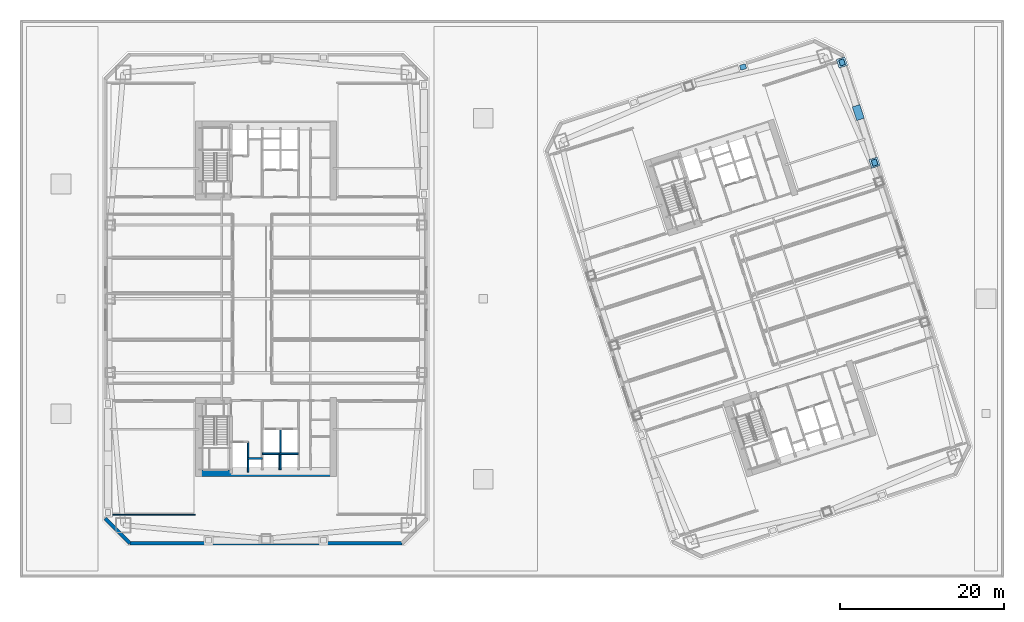
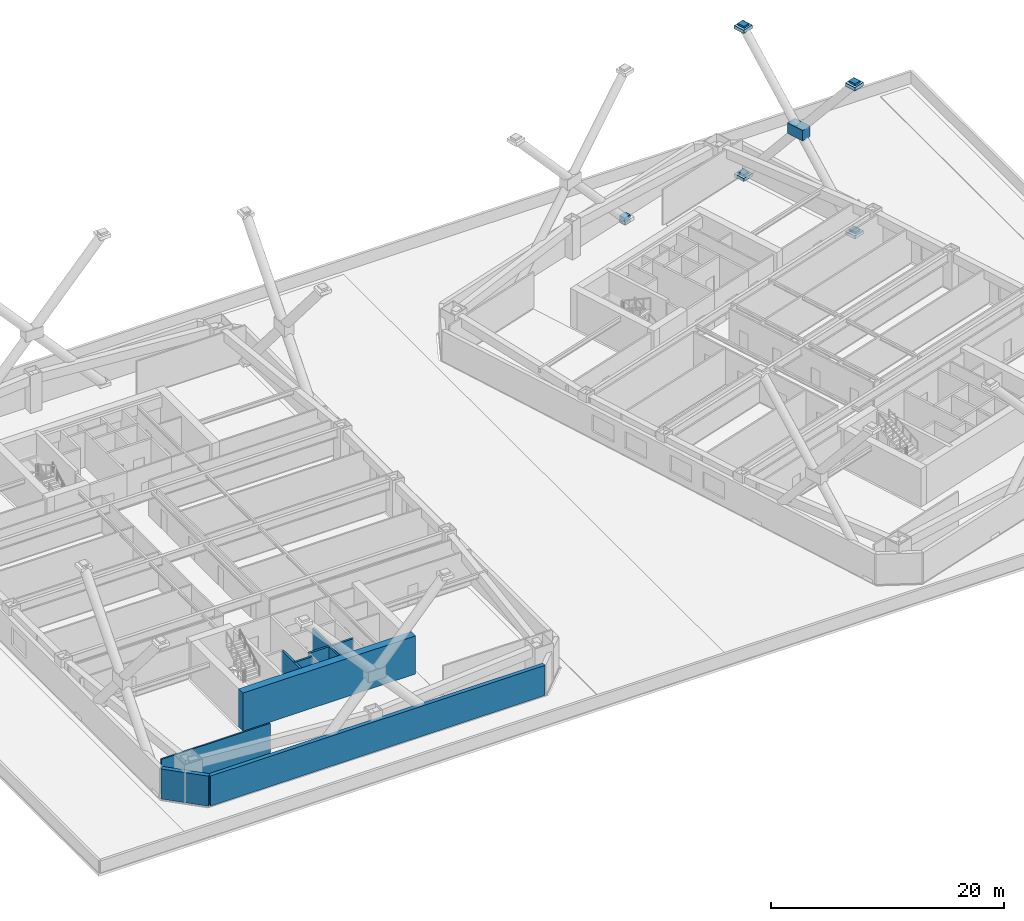
# One storey, part 4 of 20: 10 plates, 9 walls.
"""IFC4 building model written with IfcOpenShell, lengths in metres."""

import ifcopenshell
import ifcopenshell.guid

model = None  # the IFC model being written
_history = None  # IfcOwnerHistory: only IFC2X3 demands one
_inside = {}  # id of a spatial element -> (the spatial element, [elements in it])
_under = {}  # id of a project, library or spatial element -> (it, [spatial elements below it])
_declared = {}  # id of a project -> (the project, [libraries it declares])
_typed = {}  # id of a type object -> (the type object, [elements of that type])
_made_of = {}  # id of a material, layer set ... -> (it, [elements and type objects made of it])


def new_model(schema):
    """Start an empty IFC model of exactly this schema.

    Asked for "IFC4X3", IfcOpenShell would pick the latest addendum, in which some entities
    have other attributes; the version numbers below select the first issue.
    IFC2X3 requires an IfcOwnerHistory on every rooted entity: one is made here for all.
    """
    global model, _history
    if schema == "IFC4X3":
        model = ifcopenshell.file(schema_version=(4, 3, 0, 0))
    else:
        model = ifcopenshell.file(schema=schema)
    _inside.clear()
    _under.clear()
    _declared.clear()
    _typed.clear()
    _made_of.clear()
    _history = None
    if model.schema == "IFC2X3":
        org = make("IfcOrganization", Name="unknown")
        user = make(
            "IfcPersonAndOrganization",
            ThePerson=make("IfcPerson", FamilyName="unknown"),
            TheOrganization=org,
        )
        app = make(
            "IfcApplication",
            ApplicationDeveloper=org,
            Version="unknown",
            ApplicationFullName="unknown",
            ApplicationIdentifier="unknown",
        )
        _history = make(
            "IfcOwnerHistory",
            OwningUser=user,
            OwningApplication=app,
            ChangeAction="ADDED",
            CreationDate=0,
        )
    return model


def make(cls, **values):
    """One entity of the class cls with the attributes given. An attribute that is None is left unset."""
    return model.create_entity(
        cls, **{name: value for name, value in values.items() if value is not None}
    )


def rooted(cls, **values):
    """An entity with a GlobalId (a new one), such as an element, a storey or a relation."""
    return make(cls, GlobalId=ifcopenshell.guid.new(), OwnerHistory=_history, **values)


def si_unit(unit_type, name, prefix=None):
    """IfcSIUnit, for example si_unit("LENGTHUNIT", "METRE", prefix="MILLI")."""
    return make("IfcSIUnit", UnitType=unit_type, Prefix=prefix, Name=name)


def assignment(units):
    """IfcUnitAssignment: the units of a project."""
    return None if units is None else make("IfcUnitAssignment", Units=units)


def point(xyz):
    """IfcCartesianPoint."""
    return None if xyz is None else make("IfcCartesianPoint", Coordinates=xyz)


def direction(xyz):
    """IfcDirection."""
    return None if xyz is None else make("IfcDirection", DirectionRatios=xyz)


def frame(location, z_axis=None, x_axis=None):
    """IfcAxis2Placement3D, a coordinate frame: its origin and axes. An axis left out is left unset."""
    return make(
        "IfcAxis2Placement3D",
        Location=point(location),
        Axis=direction(z_axis),
        RefDirection=direction(x_axis),
    )


def frame_2d(location, x_axis=None):
    """IfcAxis2Placement2D, a coordinate frame in the plane: its origin and x axis."""
    return make(
        "IfcAxis2Placement2D", Location=point(location), RefDirection=direction(x_axis)
    )


def origin():
    """The frame at (0, 0, 0) with its axes left unset."""
    return frame((0.0, 0.0, 0.0))


def origin_2d():
    """The frame at (0, 0) in the plane with its x axis left unset."""
    return frame_2d((0.0, 0.0))


def place(relative_to, where):
    """IfcLocalPlacement: puts the frame where relative to a parent placement (None: the world)."""
    return make(
        "IfcLocalPlacement", PlacementRelTo=relative_to, RelativePlacement=where
    )


def context(
    kind, dimensions, precision=None, world=None, true_north=None, identifier=None
):
    """IfcGeometricRepresentationContext, for example the 3D "Model" context."""
    return make(
        "IfcGeometricRepresentationContext",
        ContextIdentifier=identifier,
        ContextType=kind,
        CoordinateSpaceDimension=dimensions,
        Precision=precision,
        WorldCoordinateSystem=world,
        TrueNorth=true_north,
    )


def subcontext(parent, identifier, kind, view, scale=None):
    """IfcGeometricRepresentationSubContext, for example "Body" below "Model"."""
    return make(
        "IfcGeometricRepresentationSubContext",
        ContextIdentifier=identifier,
        ContextType=kind,
        ParentContext=parent,
        TargetScale=scale,
        TargetView=view,
    )


def project(units=None, contexts=None):
    """IfcProject with its units and contexts."""
    return rooted(
        "IfcProject",
        Name="project",
        RepresentationContexts=contexts,
        UnitsInContext=assignment(units),
    )


def spatial(cls, under=None, at=None, **own):
    """A site, building, storey or space (cls), placed at a placement, below another one or the project."""
    s = rooted(cls, ObjectPlacement=at, **own)
    if under is not None:
        _under.setdefault(under.id(), (under, []))[1].append(s)
    return s


def profile(cls, at=None, kind="AREA", **sizes):
    """A parametric profile (cls). Its sizes go by their IFC names, for example OverallWidth=200.0."""
    return make(cls, ProfileType=kind, Position=at, **sizes)


def rectangle(**sizes):
    """IfcRectangleProfileDef."""
    return profile("IfcRectangleProfileDef", **sizes)


def extrude(swept, where, along, depth):
    """IfcExtrudedAreaSolid: the profile swept, set in the frame where, extruded along a direction by depth."""
    return make(
        "IfcExtrudedAreaSolid",
        SweptArea=swept,
        Position=where,
        ExtrudedDirection=direction(along),
        Depth=depth,
    )


def shape(context_of_items, identifier, shape_type, items):
    """IfcShapeRepresentation: the items that make up one representation, for example the "Body"."""
    return make(
        "IfcShapeRepresentation",
        ContextOfItems=context_of_items,
        RepresentationIdentifier=identifier,
        RepresentationType=shape_type,
        Items=items,
    )


def material(Name=None, Category=None):
    """IfcMaterial."""
    return make("IfcMaterial", Name=Name, Category=Category)


def layer(
    of_material, thickness, ventilated=None, Name=None, Category=None, Priority=None
):
    """IfcMaterialLayer: one layer of a wall or slab, of a material (None: an air gap)."""
    return make(
        "IfcMaterialLayer",
        Material=of_material,
        LayerThickness=thickness,
        IsVentilated=ventilated,
        Name=Name,
        Category=Category,
        Priority=Priority,
    )


def layer_set(layers, Name=None):
    """IfcMaterialLayerSet."""
    return make("IfcMaterialLayerSet", MaterialLayers=layers, LayerSetName=Name)


def made_of(thing, what):
    """Note that an element or type object is made of a material, layer set ...; save() writes the relation."""
    if what is not None:
        _made_of.setdefault(what.id(), (what, []))[1].append(thing)
    return thing


def type_object(cls, material=None, **own):
    """A type object (cls), such as IfcWallType, which elements share."""
    return made_of(rooted(cls, **own), material)


def element(
    cls,
    number,
    at=None,
    inside=None,
    cuts=None,
    type_object=None,
    material=None,
    context=None,
    identifier="Body",
    shape_type=None,
    held_by="IfcProductDefinitionShape",
    body=None,
    shapes=None,
    **own,
):
    """One element of the class cls, such as IfcWall. Its Tag is "e" and its number.

    at: its placement. inside: the storey or other place that contains it. cuts: it is an
    opening in that element (IfcRelVoidsElement). A single representation is given by context,
    identifier, shape_type and body (its items); several are given by shapes. held_by: the class
    of the entity that holds the representations. save() writes the other relations.
    """
    e = rooted(cls, Tag="e%d" % number, ObjectPlacement=at, **own)
    if body is not None:
        shapes = [shape(context, identifier, shape_type, body)]
    if shapes is not None:
        e.Representation = make(held_by, Representations=shapes)
    if inside is not None:
        _inside.setdefault(inside.id(), (inside, []))[1].append(e)
    if cuts is not None:
        rooted(
            "IfcRelVoidsElement", RelatingBuildingElement=cuts, RelatedOpeningElement=e
        )
    if type_object is not None:
        _typed.setdefault(type_object.id(), (type_object, []))[1].append(e)
    return made_of(e, material)


def aggregate(whole, parts):
    """IfcRelAggregates: a whole, such as a stair, and the parts it consists of."""
    return rooted("IfcRelAggregates", RelatingObject=whole, RelatedObjects=parts)


def save(model, path):
    """Write the relations noted so far, then the file.

    IfcRelAggregates (storeys below a building ...), IfcRelContainedInSpatialStructure (elements
    in a storey), IfcRelDefinesByType, IfcRelAssociatesMaterial and IfcRelDeclares: one each for
    every whole, place, type object, material and project.
    """
    for whole, parts in _under.values():
        aggregate(whole, parts)
    for where, things in _inside.values():
        rooted(
            "IfcRelContainedInSpatialStructure",
            RelatedElements=things,
            RelatingStructure=where,
        )
    for kind, things in _typed.values():
        rooted("IfcRelDefinesByType", RelatedObjects=things, RelatingType=kind)
    for what, things in _made_of.values():
        rooted("IfcRelAssociatesMaterial", RelatedObjects=things, RelatingMaterial=what)
    for by, libraries in _declared.values():
        rooted("IfcRelDeclares", RelatingContext=by, RelatedDefinitions=libraries)
    model.write(path)


model = new_model("IFC4")

# Units and contexts
model_context = context("Model", 3, precision=1e-05, world=origin(), true_north=direction((0.0, 1.0)))
body_context = subcontext(model_context, "Body", "Model", "MODEL_VIEW")
ifc_project = project(units=[si_unit("LENGTHUNIT", "METRE"), si_unit("AREAUNIT", "SQUARE_METRE"), si_unit("VOLUMEUNIT", "CUBIC_METRE"), si_unit("PLANEANGLEUNIT", "RADIAN"), si_unit("MASSUNIT", "GRAM", prefix="KILO")], contexts=[model_context])

# Site, building, storey
site_placement = place(None, origin())
site = spatial("IfcSite", under=ifc_project, at=site_placement, CompositionType="ELEMENT")
building_placement = place(site_placement, origin())
building = spatial("IfcBuilding", under=site, at=building_placement, Name="Qiaolan Cultural Towers", CompositionType="ELEMENT")
storey_placement = place(building_placement, frame((0.0, 0.0, 26.0)))
storey = spatial("IfcBuildingStorey", under=building, at=storey_placement, Name="L05", CompositionType="ELEMENT", Elevation=26.0)

# Plates
ifc_material_1 = material(Name="Steel Q355B", Category="steel")
ifc_layer_1 = layer(ifc_material_1, 0.035888671875)
ifc_layer_set_1 = layer_set([ifc_layer_1], Name="Steel Q355B")
plate_type_1 = type_object("IfcPlateType", Name="PL-CONN-36", PredefinedType="USERDEFINED", material=ifc_layer_set_1)
for number, where, z_axis, x_axis, name in (
    (1, (104.21435546875, 50.605224609375, -0.22021484375), (0.0, 0.0, 1.0), (-0.309016977776, 0.951056521689, 0.0), "L05 Brace End Connection Gusset Plate GP-02-0424"),
    (2, (100.24365234375, 62.826171875, 15.330078125), (0.0, 0.0, 1.0), (-0.309016977776, 0.951056521689, 0.0), "L05 Brace End Connection Gusset Plate GP-02-0425"),
    (3, (100.24365234375, 62.826171875, -0.22021484375), (0.0, 0.0, 1.0), (-0.309016977776, 0.951056521689, 0.0), "L05 Brace End Connection Gusset Plate GP-02-0426"),
    (4, (104.21435546875, 50.605224609375, 15.330078125), (0.0, 0.0, 1.0), (-0.309016977776, 0.951056521689, 0.0), "L05 Brace End Connection Gusset Plate GP-02-0427"),
    (5, (88.1748046875, 62.26953125, -0.22021484375), (0.0, 0.0, 1.0), (0.951056510902, 0.309017010974, 0.0), "L05 Brace End Connection Gusset Plate GP-02-0434"),
):
    element("IfcPlate", number, at=place(storey_placement, frame(where, z_axis=z_axis, x_axis=x_axis)), inside=storey, type_object=plate_type_1, Name=name, ObjectType="GUSSET_PLATE", PredefinedType="USERDEFINED", context=body_context, shape_type="SweptSolid", body=[
        extrude(rectangle(XDim=0.739990234375, YDim=0.6201171875, at=origin_2d()), origin(), (0.0, 0.0, 1.0), 0.739990234375),
    ])
ifc_material_2 = material(Name="Steel Q355B", Category="steel")
ifc_layer_2 = layer(ifc_material_2, 0.030029296875)
ifc_layer_set_2 = layer_set([ifc_layer_2], Name="Steel Q355B")
plate_type_2 = type_object("IfcPlateType", Name="PL-ENDCAP-30", PredefinedType="USERDEFINED", material=ifc_layer_set_2)
for number, where, z_axis, x_axis, name in (
    (6, (104.21435546875, 50.605224609375, -0.025146484375), (0.0, 0.0, 1.0), (-0.309016994375, 0.951056516295, 0.0), "Hollow Brace End Seal Cap Plate CP-01"),
    (7, (100.24365234375, 62.826171875, -0.025146484375), (0.0, 0.0, 1.0), (-0.309016994375, 0.951056516295, 0.0), "Hollow Brace End Seal Cap Plate CP-01"),
    (8, (104.21435546875, 50.605224609375, 15.52490234375), (0.0, 0.0, 1.0), (-0.309016994375, 0.951056516295, 0.0), "Hollow Brace End Seal Cap Plate CP-01"),
    (9, (100.24365234375, 62.826171875, 15.52490234375), (0.0, 0.0, 1.0), (-0.309016994375, 0.951056516295, 0.0), "Hollow Brace End Seal Cap Plate CP-01"),
):
    element("IfcPlate", number, at=place(storey_placement, frame(where, z_axis=z_axis, x_axis=x_axis)), inside=storey, type_object=plate_type_2, Name=name, ObjectType="BASE_PLATE", PredefinedType="USERDEFINED", context=body_context, shape_type="SweptSolid", body=[
        extrude(rectangle(XDim=1.10009765625, YDim=1.10009765625, at=origin_2d()), origin(), (0.0, 0.0, 1.0), 0.35009765625),
    ])
ifc_material_3 = material(Name="Steel Q390GJB", Category="steel")
ifc_layer_3 = layer(ifc_material_3, 0.0458984375)
ifc_layer_set_3 = layer_set([ifc_layer_3], Name="Steel Q390GJB")
plate_type_3 = type_object("IfcPlateType", Name="PL-NODE-ND11", PredefinedType="USERDEFINED", material=ifc_layer_set_3)
plate_placement = place(storey_placement, frame((102.22900390625, 56.7158203125, 7.375), z_axis=(0.0, 0.0, 1.0), x_axis=(-0.309016994375, 0.951056516295, 0.0)))
element("IfcPlate", 10, at=plate_placement, inside=storey, type_object=plate_type_3, Name="Perimeter Frame Gusset Node Assembly ND-11", ObjectType="GUSSET_PLATE", PredefinedType="USERDEFINED", context=body_context, shape_type="SweptSolid", body=[
    extrude(rectangle(XDim=1.760009765625, YDim=0.9599609375, at=origin_2d()), origin(), (0.0, 0.0, 1.0), 1.10009765625),
])

# Walls
ifc_material_4 = material(Name="Concrete C60", Category="concrete")
ifc_layer_4 = layer(ifc_material_4, 0.75)
ifc_layer_set_4 = layer_set([ifc_layer_4], Name="Concrete C60")
wall_type_1 = type_object("IfcWallType", Name="WL-CORE-750", PredefinedType="SHEAR", material=ifc_layer_set_4)
wall_1_placement = place(storey_placement, frame((21.425048828125, 12.719970703125, 0.0), z_axis=(0.0, 0.0, 1.0), x_axis=(1.0, 0.0, 0.0)))
element("IfcWall", 11, at=wall_1_placement, inside=storey, type_object=wall_type_1, Name="L05 T1-CS Outer Core Shear Wall", PredefinedType="SHEAR", context=body_context, shape_type="SweptSolid", body=[
    extrude(rectangle(XDim=17.14990234375, YDim=0.75, at=frame_2d((8.574951171875, 0.0))), origin(), (0.0, 0.0, 1.0), 4.0),
])
ifc_material_5 = material(Name="Precast Concrete C50 Honed Stone Pier", Category="masonry")
ifc_layer_5 = layer(ifc_material_5, 0.39990234375)
ifc_layer_set_5 = layer_set([ifc_layer_5], Name="Precast Concrete C50 Honed Stone Pier")
wall_type_2 = type_object("IfcWallType", Name="WL-EXT-PIER-400", PredefinedType="SOLIDWALL", material=ifc_layer_set_5)
wall_2_placement = place(storey_placement, frame((46.60009765625, 4.199951171875, 0.0), z_axis=(0.0, 0.0, 1.0), x_axis=(-1.0, 0.0, 0.0)))
element("IfcWall", 12, at=wall_2_placement, inside=storey, type_object=wall_type_2, Name="L05 West Tower Precast Pier Facade Wall F7", PredefinedType="SOLIDWALL", context=body_context, shape_type="SweptSolid", body=[
    extrude(rectangle(XDim=33.2001953125, YDim=0.39990234375, at=frame_2d((16.60009765625, 0.0))), origin(), (0.0, 0.0, 1.0), 3.159912109375),
])
wall_3_placement = place(storey_placement, frame((13.39990234375, 4.199951171875, 0.0), z_axis=(0.0, 0.0, 1.0), x_axis=(-0.707106781187, 0.707106781187, 0.0)))
element("IfcWall", 13, at=wall_3_placement, inside=storey, type_object=wall_type_2, Name="L05 West Tower Precast Pier Facade Wall F8", PredefinedType="SOLIDWALL", context=body_context, shape_type="SweptSolid", body=[
    extrude(rectangle(XDim=4.24267578125, YDim=0.39990234375, at=frame_2d((2.121337890625, 0.0))), origin(), (0.0, 0.0, 1.0), 3.159912109375),
])
ifc_material_6 = material(Name="Concrete C35 Fire Wall", Category="concrete")
ifc_layer_6 = layer(ifc_material_6, 0.199951171875)
ifc_layer_set_6 = layer_set([ifc_layer_6], Name="Concrete C35 Fire Wall")
wall_type_3 = type_object("IfcWallType", Name="WL-FIRE-200", PredefinedType="PARTITIONING", material=ifc_layer_set_6)
wall_4_placement = place(storey_placement, frame((27.820068359375, 16.550048828125, 0.0), z_axis=(0.0, 0.0, 1.0), x_axis=(0.0, -1.0, 0.0)))
element("IfcWall", 14, at=wall_4_placement, inside=storey, type_object=wall_type_3, Name="L05 T1-CS Firefighting Hoistway East Wall", PredefinedType="PARTITIONING", context=body_context, shape_type="SweptSolid", body=[
    extrude(rectangle(XDim=3.699951171875, YDim=0.199951171875, at=frame_2d((1.85009765625, 0.0))), origin(), (0.0, 0.0, 1.0), 3.72509765625),
])
wall_5_placement = place(storey_placement, frame((27.820068359375, 14.52001953125, 0.0), z_axis=(0.0, 0.0, 1.0), x_axis=(1.0, 0.0, 0.0)))
element("IfcWall", 15, at=wall_5_placement, inside=storey, type_object=wall_type_3, Name="L05 T1-CS Pressurization Shaft Front Wall", PredefinedType="PARTITIONING", context=body_context, shape_type="SweptSolid", body=[
    extrude(rectangle(XDim=1.72998046875, YDim=0.199951171875, at=frame_2d((0.864990234375, 0.0))), origin(), (0.0, 0.0, 1.0), 3.72509765625),
])
wall_6_placement = place(storey_placement, frame((31.780029296875, 18.1201171875, 0.0), z_axis=(0.0, 0.0, 1.0), x_axis=(0.0, -1.0, 0.0)))
element("IfcWall", 16, at=wall_6_placement, inside=storey, type_object=wall_type_3, Name="L05 T1-CS Lift Shaft Divider Wall", PredefinedType="PARTITIONING", context=body_context, shape_type="SweptSolid", body=[
    extrude(rectangle(XDim=4.9501953125, YDim=0.199951171875, at=frame_2d((2.47509765625, 0.0))), origin(), (0.0, 0.0, 1.0), 3.72509765625),
])
wall_7_placement = place(storey_placement, frame((29.550048828125, 15.10009765625, 0.0), z_axis=(0.0, 0.0, 1.0), x_axis=(1.0, 0.0, 0.0)))
element("IfcWall", 17, at=wall_7_placement, inside=storey, type_object=wall_type_3, Name="L05 T1-CS Passenger Lift Shaft Back Wall", PredefinedType="PARTITIONING", context=body_context, shape_type="SweptSolid", body=[
    extrude(rectangle(XDim=4.39990234375, YDim=0.199951171875, at=frame_2d((2.199951171875, 0.0))), origin(), (0.0, 0.0, 1.0), 3.72509765625),
])
ifc_material_7 = material(Name="Autoclaved Aerated Concrete Block B06", Category="concrete")
ifc_layer_7 = layer(ifc_material_7, 0.14990234375)
ifc_layer_set_7 = layer_set([ifc_layer_7], Name="Autoclaved Aerated Concrete Block B06")
wall_type_4 = type_object("IfcWallType", Name="WL-PART-150", PredefinedType="PARTITIONING", material=ifc_layer_set_7)
wall_8_placement = place(storey_placement, frame((31.60009765625, 15.050048828125, 0.0), z_axis=(0.0, 0.0, 1.0), x_axis=(0.0, -1.0, 0.0)))
element("IfcWall", 18, at=wall_8_placement, inside=storey, type_object=wall_type_4, Name="L05 T1-CS Core Rear Split Wall", PredefinedType="PARTITIONING", context=body_context, shape_type="SweptSolid", body=[
    extrude(rectangle(XDim=1.880126953125, YDim=0.14990234375, at=frame_2d((0.93994140625, 0.0))), origin(), (0.0, 0.0, 1.0), 3.72509765625),
])
wall_9_placement = place(storey_placement, frame((10.60009765625, 7.64990234375, 0.0), z_axis=(0.0, 0.0, 1.0), x_axis=(1.0, 0.0, 0.0)))
element("IfcWall", 19, at=wall_9_placement, inside=storey, type_object=wall_type_4, Name="L05 T1 Flank Wall FLK-SW", PredefinedType="PARTITIONING", context=body_context, shape_type="SweptSolid", body=[
    extrude(rectangle(XDim=10.7998046875, YDim=0.14990234375, at=frame_2d((5.39990234375, 0.0))), origin(), (0.0, 0.0, 1.0), 3.72509765625),
])

save(model, "model.ifc")
